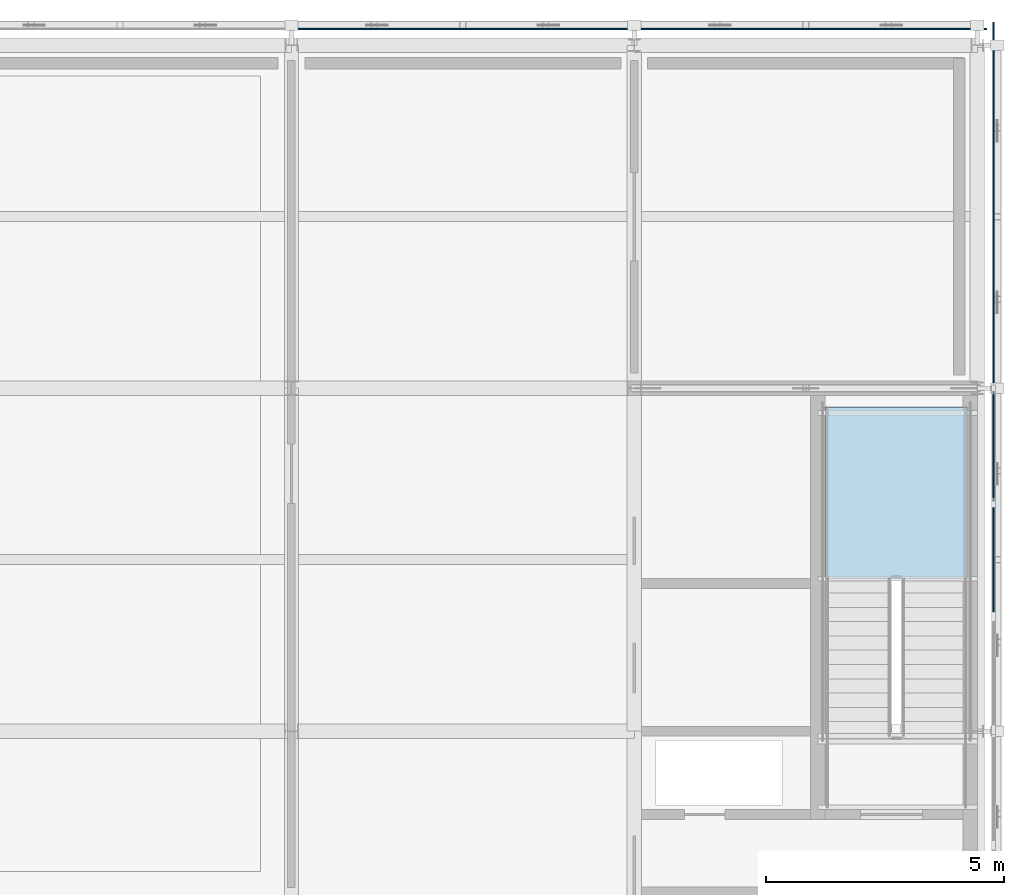
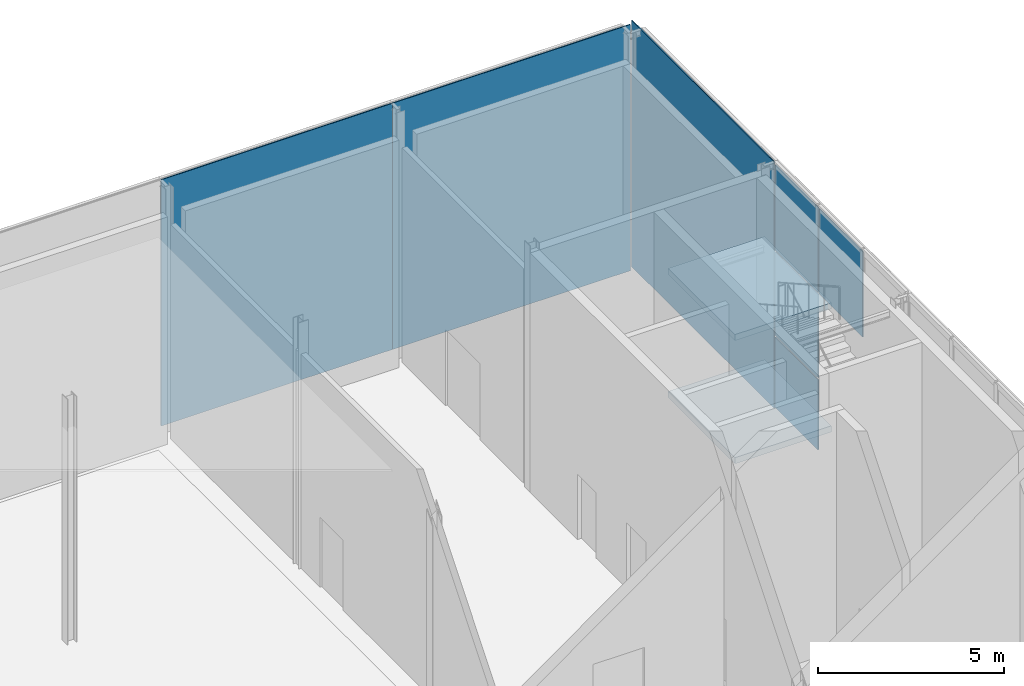
# One storey, part 58 of 76: 7 plates, 2 slabs, 2 elements without a shape of their own.
"""IFC4 building model written with IfcOpenShell, lengths in metres."""

from ifc_helpers import new_model, si_unit, direction, frame, origin, origin_2d, place, context, subcontext, project, spatial, polyline, rectangle, outline, extrude, material, layer, layer_set, type_object, element, aggregate, save


model = new_model("IFC4")

# Units and contexts
model_context = context("Model", 3, precision=1e-05, world=origin(), true_north=direction((0.0, 1.0)))
body_context = subcontext(model_context, "Body", "Model", "MODEL_VIEW")
ifc_project = project(units=[si_unit("LENGTHUNIT", "METRE"), si_unit("AREAUNIT", "SQUARE_METRE"), si_unit("VOLUMEUNIT", "CUBIC_METRE"), si_unit("PLANEANGLEUNIT", "RADIAN"), si_unit("MASSUNIT", "GRAM", prefix="KILO")], contexts=[model_context])

# Site, building, storey
site_placement = place(None, origin())
site = spatial("IfcSite", under=ifc_project, at=site_placement, CompositionType="ELEMENT")
building_placement = place(site_placement, origin())
building = spatial("IfcBuilding", under=site, at=building_placement, Name="Zlatovets Crest Museum", CompositionType="ELEMENT")
storey_placement = place(building_placement, frame((0.0, 0.0, 17.10009765625)))
storey = spatial("IfcBuildingStorey", under=building, at=storey_placement, Name="L04", CompositionType="ELEMENT", Elevation=17.10009765625)

# Curtain wall, plates
ifc_material_1 = material(Name="Bronze-anodised aluminium and low-E triple glass", Category="aluminium")
curtain_wall_type = type_object("IfcCurtainWallType", Name="CW_CW-V1-L04-M1", PredefinedType="NOTDEFINED", material=ifc_material_1)
curtain_wall_placement = place(storey_placement, origin())
curtain_wall = element("IfcCurtainWall", 1, at=curtain_wall_placement, inside=storey, type_object=curtain_wall_type, Name="V1 L04 Expressed Core Glazed Facade", PredefinedType="NOTDEFINED")
ifc_material_2 = material(Name="Solar-control low-E laminated triple glass", Category="glass")
ifc_layer_1 = layer(ifc_material_2, 0.031982421875)
ifc_layer_set_1 = layer_set([ifc_layer_1], Name="Solar-control low-E laminated triple glass")
plate_type_1 = type_object("IfcPlateType", Name="CWPanel_CW-V1-L04-M1", PredefinedType="CURTAIN_PANEL", material=ifc_layer_set_1)
plate_1_placement = place(storey_placement, frame((108.340087890625, 104.39990234375, 5.22998046875), z_axis=(0.0, 0.0, 1.0), x_axis=(0.0, 1.0, 0.0)))
plate_1 = element("IfcPlate", 2, at=plate_1_placement, type_object=plate_type_1, Name="CW-V1-L04-M1 panel 2.3", PredefinedType="CURTAIN_PANEL", context=body_context, shape_type="SweptSolid", body=[
    extrude(rectangle(XDim=2.340087890625, YDim=0.030029296875, at=origin_2d()), origin(), (0.0, 0.0, 1.0), 2.81005859375),
])
plate_2_placement = place(storey_placement, frame((108.340087890625, 106.784912109375, 0.059814453125), z_axis=(0.0, 0.0, 1.0), x_axis=(0.0, 1.0, 0.0)))
plate_2 = element("IfcPlate", 3, at=plate_2_placement, type_object=plate_type_1, Name="CW-V1-L04-M1 panel 3.1", PredefinedType="CURTAIN_PANEL", context=body_context, shape_type="SweptSolid", body=[
    extrude(rectangle(XDim=2.31005859375, YDim=0.030029296875, at=origin_2d()), origin(), (0.0, 0.0, 1.0), 2.31005859375),
])
plate_3_placement = place(storey_placement, frame((108.340087890625, 106.784912109375, 2.4296875), z_axis=(0.0, 0.0, 1.0), x_axis=(0.0, 1.0, 0.0)))
plate_3 = element("IfcPlate", 4, at=plate_3_placement, type_object=plate_type_1, Name="CW-V1-L04-M1 panel 3.2", PredefinedType="CURTAIN_PANEL", context=body_context, shape_type="SweptSolid", body=[
    extrude(rectangle(XDim=2.31005859375, YDim=0.030029296875, at=origin_2d()), origin(), (0.0, 0.0, 1.0), 2.739990234375),
])
plate_4_placement = place(storey_placement, frame((108.340087890625, 106.784912109375, 5.22998046875), z_axis=(0.0, 0.0, 1.0), x_axis=(0.0, 1.0, 0.0)))
plate_4 = element("IfcPlate", 5, at=plate_4_placement, type_object=plate_type_1, Name="CW-V1-L04-M1 panel 3.3", PredefinedType="CURTAIN_PANEL", context=body_context, shape_type="SweptSolid", body=[
    extrude(rectangle(XDim=2.31005859375, YDim=0.030029296875, at=origin_2d()), origin(), (0.0, 0.0, 1.0), 2.81005859375),
])
aggregate(curtain_wall, [plate_1, plate_2, plate_3, plate_4])

# Plates
ifc_material_3 = material(Name="Ceramic-fritted low-E laminated architectural glass", Category="glass")
ifc_layer_2 = layer(ifc_material_3, 0.031982421875)
ifc_layer_set_2 = layer_set([ifc_layer_2], Name="Ceramic-fritted low-E laminated architectural glass")
plate_type_2 = type_object("IfcPlateType", Name="GlazedSpandrel_GSP1", PredefinedType="USERDEFINED", material=ifc_layer_set_2)
plate_5_placement = place(storey_placement, frame((108.340087890625, 111.840087890625, -0.000244140625), z_axis=(0.0, 0.0, 1.0), x_axis=(0.0, 1.0, 0.0)))
element("IfcPlate", 6, at=plate_5_placement, inside=storey, type_object=plate_type_2, Name="V1 L04 Ceramic-Fritted Gallery Glass Skin", ObjectType="GLAZED_SPANDREL", PredefinedType="USERDEFINED", context=body_context, shape_type="SweptSolid", body=[
    extrude(rectangle(XDim=7.679931640625, YDim=0.031982421875, at=origin_2d()), origin(), (0.0, 0.0, 1.0), 8.10009765625),
])
plate_6_placement = place(storey_placement, frame((104.5, 115.5400390625, -0.000244140625), z_axis=(0.0, 0.0, 1.0), x_axis=(1.0, 0.0, 0.0)))
element("IfcPlate", 7, at=plate_6_placement, inside=storey, type_object=plate_type_2, Name="V1 L04 Ceramic-Fritted Gallery Glass Skin", ObjectType="GLAZED_SPANDREL", PredefinedType="USERDEFINED", context=body_context, shape_type="SweptSolid", body=[
    extrude(rectangle(XDim=7.39990234375, YDim=0.031982421875, at=origin_2d()), origin(), (0.0, 0.0, 1.0), 8.10009765625),
])
plate_7_placement = place(storey_placement, frame((97.199951171875, 115.5400390625, -0.000244140625), z_axis=(0.0, 0.0, 1.0), x_axis=(1.0, 0.0, 0.0)))
element("IfcPlate", 8, at=plate_7_placement, inside=storey, type_object=plate_type_2, Name="V1 L04 Ceramic-Fritted Gallery Glass Skin", ObjectType="GLAZED_SPANDREL", PredefinedType="USERDEFINED", context=body_context, shape_type="SweptSolid", body=[
    extrude(rectangle(XDim=7.199951171875, YDim=0.031982421875, at=origin_2d()), origin(), (0.0, 0.0, 1.0), 8.10009765625),
])

# Stair, slabs
ifc_material_4 = material(Name="Concrete C35/45", Category="concrete")
stair_type = type_object("IfcStairType", Name="Stair_ST7-48R", PredefinedType="HALF_TURN_STAIR", material=ifc_material_4)
stair_placement = place(storey_placement, origin())
stair = element("IfcStair", 9, at=stair_placement, inside=storey, type_object=stair_type, Name="L04 Core C6 Escape Stair ST7", PredefinedType="HALF_TURN_STAIR")
ifc_layer_3 = layer(ifc_material_4, 0.199951171875)
ifc_layer_set_3 = layer_set([ifc_layer_3], Name="Concrete C35/45")
slab_type = type_object("IfcSlabType", Name="StairLanding_SLD1", PredefinedType="LANDING", material=ifc_layer_set_3)
slab_1_placement = place(storey_placement, frame((0.0, 0.0, 1.824951171875)))
slab_1 = element("IfcSlab", 10, at=slab_1_placement, type_object=slab_type, Name="ST7 landing 1", PredefinedType="LANDING", context=body_context, shape_type="SweptSolid", body=[
    extrude(outline(polyline([(107.800048828125, 104.0), (107.800048828125, 107.60009765625), (104.800048828125, 107.60009765625), (104.800048828125, 104.0), (107.800048828125, 104.0)])), origin(), (0.0, 0.0, 1.0), 0.199951171875),
])
slab_2_placement = place(storey_placement, frame((0.0, 0.0, 5.875)))
slab_2 = element("IfcSlab", 11, at=slab_2_placement, type_object=slab_type, Name="ST7 landing 3", PredefinedType="LANDING", context=body_context, shape_type="SweptSolid", body=[
    extrude(outline(polyline([(107.800048828125, 104.0), (107.800048828125, 107.60009765625), (104.800048828125, 107.60009765625), (104.800048828125, 104.0), (107.800048828125, 104.0)])), origin(), (0.0, 0.0, 1.0), 0.199951171875),
])
aggregate(stair, [slab_1, slab_2])

save(model, "model.ifc")
